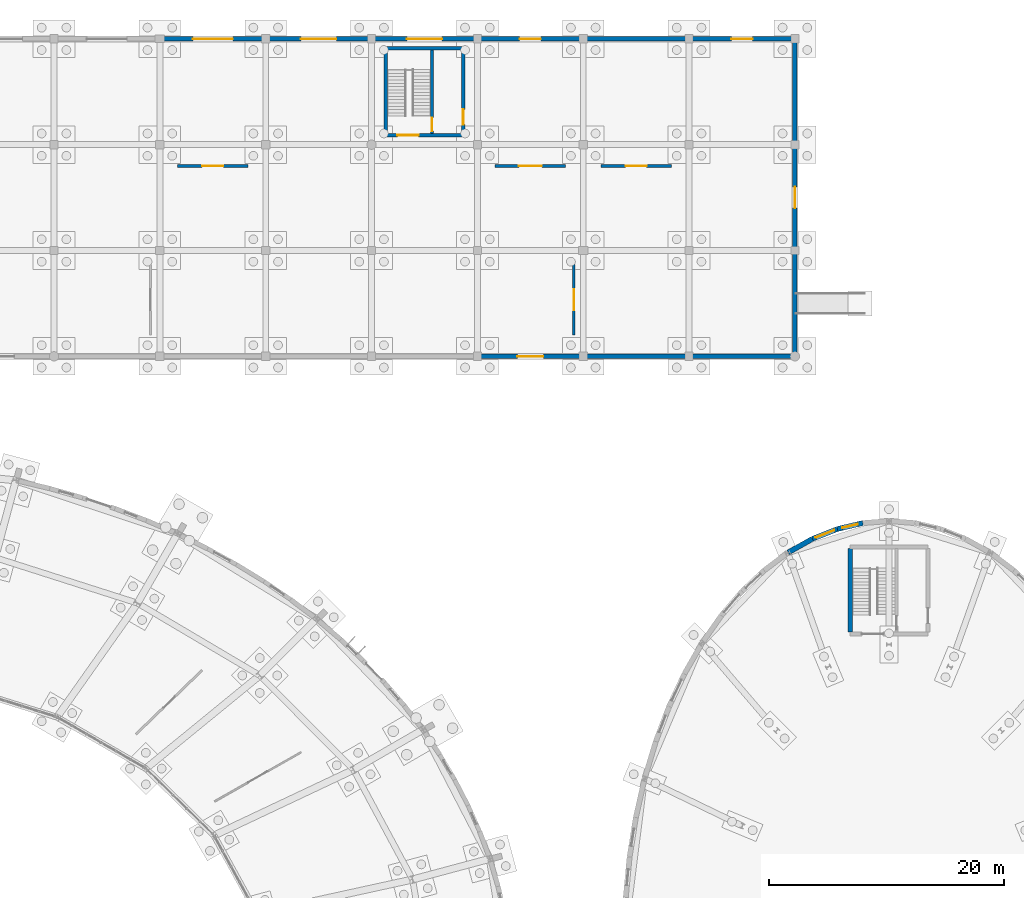
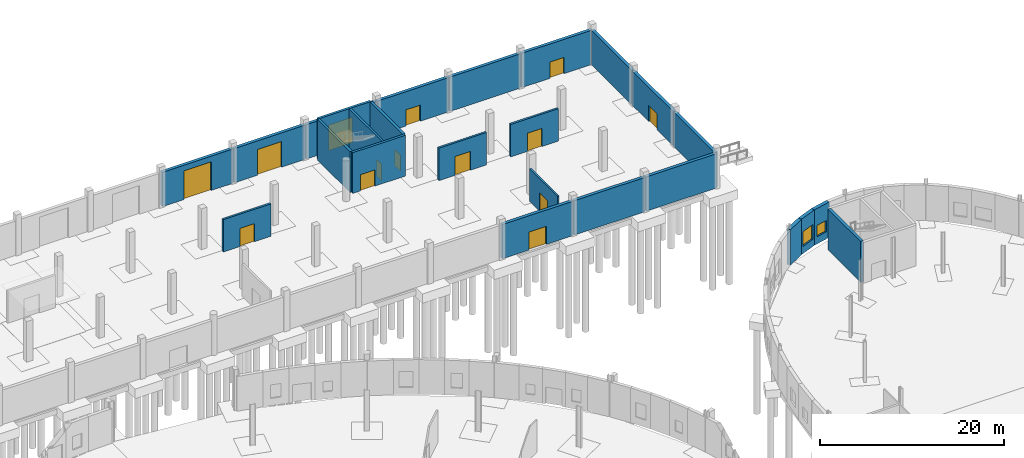
# One storey, part 100 of 118: 25 walls, 14 doors, 2 windows, 16 openings.
"""IFC4 building model written with IfcOpenShell, lengths in metres."""

from ifc_helpers import new_model, si_unit, direction, frame, frame_2d, origin, place, context, subcontext, project, spatial, rectangle, extrude, material, layer, layer_set, type_object, element, fill, save


model = new_model("IFC4")

# Units and contexts
model_context = context("Model", 3, precision=1e-05, world=origin(), true_north=direction((0.0, 1.0)))
body_context = subcontext(model_context, "Body", "Model", "MODEL_VIEW")
ifc_project = project(units=[si_unit("LENGTHUNIT", "METRE"), si_unit("AREAUNIT", "SQUARE_METRE"), si_unit("VOLUMEUNIT", "CUBIC_METRE"), si_unit("PLANEANGLEUNIT", "RADIAN"), si_unit("MASSUNIT", "GRAM", prefix="KILO")], contexts=[model_context])

# Site, building, storey
site_placement = place(None, origin())
site = spatial("IfcSite", under=ifc_project, at=site_placement, CompositionType="ELEMENT")
building_placement = place(site_placement, origin())
building = spatial("IfcBuilding", under=site, at=building_placement, Name="Kildeholm Park Wholesale Market", CompositionType="ELEMENT")
storey_placement = place(building_placement, origin())
storey = spatial("IfcBuildingStorey", under=building, at=storey_placement, Name="L00", CompositionType="ELEMENT", Elevation=0.0)

# Wall, opening, door
ifc_material_1 = material(Name="Precast concrete C40/50 insulated cold-store envelope wall", Category="concrete")
ifc_layer_1 = layer(ifc_material_1, 0.3798828125)
ifc_layer_set_1 = layer_set([ifc_layer_1], Name="Precast concrete C40/50 insulated cold-store envelope wall")
wall_type_1 = type_object("IfcWallType", Name="Exterior wall W-CS1 380 mm", PredefinedType="SOLIDWALL", material=ifc_layer_set_1)
wall_1_placement = place(storey_placement, frame((126.06005859375, 171.0, 0.0), z_axis=(0.0, 0.0, 1.0), x_axis=(1.0, 0.0, 0.0)))
wall_1 = element("IfcWall", 1, at=wall_1_placement, inside=storey, type_object=wall_type_1, Name="Exterior wall V4N-L00.15 WL-0331", PredefinedType="SOLIDWALL", context=body_context, shape_type="SweptSolid", body=[
    extrude(rectangle(XDim=8.8798828125, YDim=0.3798828125, at=frame_2d((4.43994140625, 0.0))), origin(), (0.0, 0.0, 1.0), 4.550048828125),
])
opening_1_placement = place(wall_1_placement, frame((2.739990234375, 0.0, 0.0)))
opening_1 = element("IfcOpeningElement", 2, at=opening_1_placement, cuts=wall_1, Name="Opening G-DK01", PredefinedType="OPENING", context=body_context, shape_type="SweptSolid", body=[
    extrude(rectangle(XDim=3.39990234375, YDim=3.800048828125, at=frame_2d((1.699951171875, 1.89990234375))), frame((0.0, 0.199951171875, 0.0), z_axis=(0.0, -1.0, 0.0), x_axis=(1.0, 0.0, 0.0)), (0.0, 0.0, 1.0), 0.39990234375),
])
ifc_material_2 = material(Name="Insulated galvanized steel sectional dock shutter", Category="steel")
door_type_1 = type_object("IfcDoorType", Name="Exterior gate G-DK01 3400x3800", OperationType="NOTDEFINED", PredefinedType="GATE", material=ifc_material_2)
door_1_placement = place(opening_1_placement, origin())
door_1 = element("IfcDoor", 3, at=door_1_placement, inside=storey, type_object=door_type_1, Name="Door V4N-L00.15 DR-0030 WL-0331", OperationType="ROLLINGUP", OverallHeight=3.800048828125, OverallWidth=3.39990234375, PredefinedType="GATE", context=body_context, shape_type="SweptSolid", body=[
    extrude(rectangle(XDim=3.39990234375, YDim=3.800048828125, at=frame_2d((1.699951171875, 1.89990234375))), frame((0.0, 0.02490234375, 0.0), z_axis=(0.0, -1.0, 0.0), x_axis=(1.0, 0.0, 0.0)), (0.0, 0.0, 1.0), 0.050048828125),
])
fill(opening_1, door_1)

wall_2_placement = place(storey_placement, frame((135.06005859375, 171.0, 0.0), z_axis=(0.0, 0.0, 1.0), x_axis=(1.0, 0.0, 0.0)))
wall_2 = element("IfcWall", 4, at=wall_2_placement, inside=storey, type_object=wall_type_1, Name="Exterior wall V4N-L00.16 WL-0332", PredefinedType="SOLIDWALL", context=body_context, shape_type="SweptSolid", body=[
    extrude(rectangle(XDim=8.8798828125, YDim=0.3798828125, at=frame_2d((4.43994140625, 0.0))), origin(), (0.0, 0.0, 1.0), 4.550048828125),
])
opening_2_placement = place(wall_2_placement, frame((2.93994140625, 0.0, 0.0)))
opening_2 = element("IfcOpeningElement", 5, at=opening_2_placement, cuts=wall_2, Name="Opening G-DK03", PredefinedType="OPENING", context=body_context, shape_type="SweptSolid", body=[
    extrude(rectangle(XDim=3.0, YDim=3.39990234375, at=frame_2d((1.5, 1.699951171875))), frame((0.0, 0.199951171875, 0.0), z_axis=(0.0, -1.0, 0.0), x_axis=(1.0, 0.0, 0.0)), (0.0, 0.0, 1.0), 0.39990234375),
])
ifc_material_3 = material(Name="Insulated aluminium forklift rapid roll gate", Category="aluminium")
door_type_2 = type_object("IfcDoorType", Name="Exterior gate G-DK03 3000x3400", OperationType="NOTDEFINED", PredefinedType="GATE", material=ifc_material_3)
door_2_placement = place(opening_2_placement, origin())
door_2 = element("IfcDoor", 6, at=door_2_placement, inside=storey, type_object=door_type_2, Name="Door V4N-L00.16 DR-0031 WL-0332", OperationType="ROLLINGUP", OverallHeight=3.39990234375, OverallWidth=3.0, PredefinedType="GATE", context=body_context, shape_type="SweptSolid", body=[
    extrude(rectangle(XDim=3.0, YDim=3.39990234375, at=frame_2d((1.5, 1.699951171875))), frame((0.0, 0.02490234375, 0.0), z_axis=(0.0, -1.0, 0.0), x_axis=(1.0, 0.0, 0.0)), (0.0, 0.0, 1.0), 0.050048828125),
])
fill(opening_2, door_2)

wall_3_placement = place(storey_placement, frame((144.06005859375, 171.0, 0.0), z_axis=(0.0, 0.0, 1.0), x_axis=(1.0, 0.0, 0.0)))
wall_3 = element("IfcWall", 7, at=wall_3_placement, inside=storey, type_object=wall_type_1, Name="Exterior wall V4N-L00.17 WL-0333", PredefinedType="SOLIDWALL", context=body_context, shape_type="SweptSolid", body=[
    extrude(rectangle(XDim=8.8798828125, YDim=0.3798828125, at=frame_2d((4.43994140625, 0.0))), origin(), (0.0, 0.0, 1.0), 4.550048828125),
])
opening_3_placement = place(wall_3_placement, frame((2.93994140625, 0.0, 0.0)))
opening_3 = element("IfcOpeningElement", 8, at=opening_3_placement, cuts=wall_3, Name="Opening G-DK03", PredefinedType="OPENING", context=body_context, shape_type="SweptSolid", body=[
    extrude(rectangle(XDim=3.0, YDim=3.39990234375, at=frame_2d((1.5, 1.699951171875))), frame((0.0, 0.199951171875, 0.0), z_axis=(0.0, -1.0, 0.0), x_axis=(1.0, 0.0, 0.0)), (0.0, 0.0, 1.0), 0.39990234375),
])
door_3_placement = place(opening_3_placement, origin())
door_3 = element("IfcDoor", 9, at=door_3_placement, inside=storey, type_object=door_type_2, Name="Door V4N-L00.17 DR-0032 WL-0333", OperationType="ROLLINGUP", OverallHeight=3.39990234375, OverallWidth=3.0, PredefinedType="GATE", context=body_context, shape_type="SweptSolid", body=[
    extrude(rectangle(XDim=3.0, YDim=3.39990234375, at=frame_2d((1.5, 1.699951171875))), frame((0.0, 0.02490234375, 0.0), z_axis=(0.0, -1.0, 0.0), x_axis=(1.0, 0.0, 0.0)), (0.0, 0.0, 1.0), 0.050048828125),
])
fill(opening_3, door_3)

wall_4_placement = place(storey_placement, frame((153.06005859375, 171.0, 0.0), z_axis=(0.0, 0.0, 1.0), x_axis=(1.0, 0.0, 0.0)))
wall_4 = element("IfcWall", 10, at=wall_4_placement, inside=storey, type_object=wall_type_1, Name="Exterior wall V4N-L00.18 WL-0334", PredefinedType="SOLIDWALL", context=body_context, shape_type="SweptSolid", body=[
    extrude(rectangle(XDim=8.8798828125, YDim=0.3798828125, at=frame_2d((4.43994140625, 0.0))), origin(), (0.0, 0.0, 1.0), 4.550048828125),
])
opening_4_placement = place(wall_4_placement, frame((3.5400390625, 0.0, 0.0)))
opening_4 = element("IfcOpeningElement", 11, at=opening_4_placement, cuts=wall_4, Name="Opening D-EX05", PredefinedType="OPENING", context=body_context, shape_type="SweptSolid", body=[
    extrude(rectangle(XDim=1.800048828125, YDim=2.14990234375, at=frame_2d((0.89990234375, 1.074951171875))), frame((0.0, 0.199951171875, 0.0), z_axis=(0.0, -1.0, 0.0), x_axis=(1.0, 0.0, 0.0)), (0.0, 0.0, 1.0), 0.39990234375),
])
ifc_material_4 = material(Name="Painted galvanized steel escape doorset", Category="steel")
door_type_3 = type_object("IfcDoorType", Name="Exterior door D-EX05 1800x2150", OperationType="NOTDEFINED", PredefinedType="DOOR", material=ifc_material_4)
door_4_placement = place(opening_4_placement, origin())
door_4 = element("IfcDoor", 12, at=door_4_placement, inside=storey, type_object=door_type_3, Name="Door V4N-L00.18 DR-0033 WL-0334", OperationType="DOUBLE_DOOR_SINGLE_SWING", OverallHeight=2.14990234375, OverallWidth=1.800048828125, PredefinedType="DOOR", context=body_context, shape_type="SweptSolid", body=[
    extrude(rectangle(XDim=1.800048828125, YDim=2.14990234375, at=frame_2d((0.89990234375, 1.074951171875))), frame((0.0, 0.02490234375, 0.0), z_axis=(0.0, -1.0, 0.0), x_axis=(1.0, 0.0, 0.0)), (0.0, 0.0, 1.0), 0.050048828125),
])
fill(opening_4, door_4)

# Wall
wall_5_placement = place(storey_placement, frame((162.06005859375, 171.0, 0.0), z_axis=(0.0, 0.0, 1.0), x_axis=(1.0, 0.0, 0.0)))
element("IfcWall", 13, at=wall_5_placement, inside=storey, type_object=wall_type_1, Name="Exterior wall V4N-L00.19 WL-0335", PredefinedType="SOLIDWALL", context=body_context, shape_type="SweptSolid", body=[
    extrude(rectangle(XDim=8.8798828125, YDim=0.3798828125, at=frame_2d((4.43994140625, 0.0))), origin(), (0.0, 0.0, 1.0), 4.550048828125),
])

# Wall, opening, door
wall_6_placement = place(storey_placement, frame((171.06005859375, 171.0, 0.0), z_axis=(0.0, 0.0, 1.0), x_axis=(1.0, 0.0, 0.0)))
wall_6 = element("IfcWall", 14, at=wall_6_placement, inside=storey, type_object=wall_type_1, Name="Exterior wall V4N-L00.20 WL-0336", PredefinedType="SOLIDWALL", context=body_context, shape_type="SweptSolid", body=[
    extrude(rectangle(XDim=8.8798828125, YDim=0.3798828125, at=frame_2d((4.43994140625, 0.0))), origin(), (0.0, 0.0, 1.0), 4.550048828125),
])
opening_5_placement = place(wall_6_placement, frame((3.5400390625, 0.0, 0.0)))
opening_5 = element("IfcOpeningElement", 15, at=opening_5_placement, cuts=wall_6, Name="Opening D-EX05", PredefinedType="OPENING", context=body_context, shape_type="SweptSolid", body=[
    extrude(rectangle(XDim=1.800048828125, YDim=2.14990234375, at=frame_2d((0.89990234375, 1.074951171875))), frame((0.0, 0.199951171875, 0.0), z_axis=(0.0, -1.0, 0.0), x_axis=(1.0, 0.0, 0.0)), (0.0, 0.0, 1.0), 0.39990234375),
])
door_5_placement = place(opening_5_placement, origin())
door_5 = element("IfcDoor", 16, at=door_5_placement, inside=storey, type_object=door_type_3, Name="Door V4N-L00.20 DR-0034 WL-0336", OperationType="DOUBLE_DOOR_SINGLE_SWING", OverallHeight=2.14990234375, OverallWidth=1.800048828125, PredefinedType="DOOR", context=body_context, shape_type="SweptSolid", body=[
    extrude(rectangle(XDim=1.800048828125, YDim=2.14990234375, at=frame_2d((0.89990234375, 1.074951171875))), frame((0.0, 0.02490234375, 0.0), z_axis=(0.0, -1.0, 0.0), x_axis=(1.0, 0.0, 0.0)), (0.0, 0.0, 1.0), 0.050048828125),
])
fill(opening_5, door_5)

# Wall
wall_7_placement = place(storey_placement, frame((180.0, 144.06005859375, 0.0), z_axis=(0.0, 0.0, 1.0), x_axis=(0.0, 1.0, 0.0)))
element("IfcWall", 17, at=wall_7_placement, inside=storey, type_object=wall_type_1, Name="Exterior wall V4E-L00.1 WL-0429", PredefinedType="SOLIDWALL", context=body_context, shape_type="SweptSolid", body=[
    extrude(rectangle(XDim=8.8798828125, YDim=0.3798828125, at=frame_2d((4.43994140625, 0.0))), origin(), (0.0, 0.0, 1.0), 4.550048828125),
])

# Wall, opening, door
wall_8_placement = place(storey_placement, frame((180.0, 153.06005859375, 0.0), z_axis=(0.0, 0.0, 1.0), x_axis=(0.0, 1.0, 0.0)))
wall_8 = element("IfcWall", 18, at=wall_8_placement, inside=storey, type_object=wall_type_1, Name="Exterior wall V4E-L00.2 WL-0430", PredefinedType="SOLIDWALL", context=body_context, shape_type="SweptSolid", body=[
    extrude(rectangle(XDim=8.8798828125, YDim=0.3798828125, at=frame_2d((4.43994140625, 0.0))), origin(), (0.0, 0.0, 1.0), 4.550048828125),
])
opening_6_placement = place(wall_8_placement, frame((3.5400390625, 0.0, 0.0)))
opening_6 = element("IfcOpeningElement", 19, at=opening_6_placement, cuts=wall_8, Name="Opening D-EX05", PredefinedType="OPENING", context=body_context, shape_type="SweptSolid", body=[
    extrude(rectangle(XDim=1.800048828125, YDim=2.14990234375, at=frame_2d((0.89990234375, 1.074951171875))), frame((0.0, 0.199951171875, 0.0), z_axis=(0.0, -1.0, 0.0), x_axis=(1.0, 0.0, 0.0)), (0.0, 0.0, 1.0), 0.39990234375),
])
door_6_placement = place(opening_6_placement, frame((1.800048828125, 0.0, 0.0), z_axis=(0.0, 0.0, 1.0), x_axis=(-1.0, 0.0, 0.0)))
door_6 = element("IfcDoor", 20, at=door_6_placement, inside=storey, type_object=door_type_3, Name="Door V4E-L00.2 DR-0040 WL-0430", OperationType="DOUBLE_DOOR_SINGLE_SWING", OverallHeight=2.14990234375, OverallWidth=1.800048828125, PredefinedType="DOOR", context=body_context, shape_type="SweptSolid", body=[
    extrude(rectangle(XDim=1.800048828125, YDim=2.14990234375, at=frame_2d((0.89990234375, 1.074951171875))), frame((0.0, 0.02490234375, 0.0), z_axis=(0.0, -1.0, 0.0), x_axis=(1.0, 0.0, 0.0)), (0.0, 0.0, 1.0), 0.050048828125),
])
fill(opening_6, door_6)

# Wall
wall_9_placement = place(storey_placement, frame((180.0, 162.06005859375, 0.0), z_axis=(0.0, 0.0, 1.0), x_axis=(0.0, 1.0, 0.0)))
element("IfcWall", 21, at=wall_9_placement, inside=storey, type_object=wall_type_1, Name="Exterior wall V4E-L00.3 WL-0431", PredefinedType="SOLIDWALL", context=body_context, shape_type="SweptSolid", body=[
    extrude(rectangle(XDim=8.8798828125, YDim=0.3798828125, at=frame_2d((4.43994140625, 0.0))), origin(), (0.0, 0.0, 1.0), 4.550048828125),
])

# Wall, opening, door
wall_10_placement = place(storey_placement, frame((153.06005859375, 144.0, 0.0), z_axis=(0.0, 0.0, 1.0), x_axis=(1.0, 0.0, 0.0)))
wall_10 = element("IfcWall", 22, at=wall_10_placement, inside=storey, type_object=wall_type_1, Name="Exterior wall V4S-L00.14 WL-0450", PredefinedType="SOLIDWALL", context=body_context, shape_type="SweptSolid", body=[
    extrude(rectangle(XDim=8.8798828125, YDim=0.3798828125, at=frame_2d((4.43994140625, 0.0))), origin(), (0.0, 0.0, 1.0), 4.550048828125),
])
opening_7_placement = place(wall_10_placement, frame((3.340087890625, 0.0, 0.0)))
opening_7 = element("IfcOpeningElement", 23, at=opening_7_placement, cuts=wall_10, Name="Opening D-EX03", PredefinedType="OPENING", context=body_context, shape_type="SweptSolid", body=[
    extrude(rectangle(XDim=2.199951171875, YDim=2.39990234375, at=frame_2d((1.10009765625, 1.199951171875))), frame((0.0, 0.199951171875, 0.0), z_axis=(0.0, -1.0, 0.0), x_axis=(1.0, 0.0, 0.0)), (0.0, 0.0, 1.0), 0.39990234375),
])
ifc_material_5 = material(Name="Anodised aluminium and safety glass", Category="aluminium")
door_type_4 = type_object("IfcDoorType", Name="Exterior door D-EX03 2200x2400", OperationType="NOTDEFINED", PredefinedType="DOOR", material=ifc_material_5)
door_7_placement = place(opening_7_placement, frame((2.199951171875, 0.0, 0.0), z_axis=(0.0, 0.0, 1.0), x_axis=(-1.0, 0.0, 0.0)))
door_7 = element("IfcDoor", 24, at=door_7_placement, inside=storey, type_object=door_type_4, Name="Door V4S-L00.14 DR-0043 WL-0450", OperationType="DOUBLE_DOOR_SINGLE_SWING", OverallHeight=2.39990234375, OverallWidth=2.199951171875, PredefinedType="DOOR", context=body_context, shape_type="SweptSolid", body=[
    extrude(rectangle(XDim=2.199951171875, YDim=2.39990234375, at=frame_2d((1.10009765625, 1.199951171875))), frame((0.0, 0.02490234375, 0.0), z_axis=(0.0, -1.0, 0.0), x_axis=(1.0, 0.0, 0.0)), (0.0, 0.0, 1.0), 0.050048828125),
])
fill(opening_7, door_7)

# Walls
for number, where, z_axis, x_axis, name in (
    (25, (162.06005859375, 144.0, 0.0), (0.0, 0.0, 1.0), (1.0, 0.0, 0.0), "Exterior wall V4S-L00.15 WL-0451"),
    (26, (171.06005859375, 144.0, 0.0), (0.0, 0.0, 1.0), (1.0, 0.0, 0.0), "Exterior wall V4S-L00.16 WL-0452"),
):
    element("IfcWall", number, at=place(storey_placement, frame(where, z_axis=z_axis, x_axis=x_axis)), inside=storey, type_object=wall_type_1, Name=name, PredefinedType="SOLIDWALL", context=body_context, shape_type="SweptSolid", body=[
        extrude(rectangle(XDim=8.8798828125, YDim=0.3798828125, at=frame_2d((4.43994140625, 0.0))), origin(), (0.0, 0.0, 1.0), 4.550048828125),
    ])

# Wall, opening, window
ifc_material_6 = material(Name="Insulated clinker brick and glazed ceramic mosaic facade wall", Category="masonry")
ifc_layer_2 = layer(ifc_material_6, 0.43994140625)
ifc_layer_set_2 = layer_set([ifc_layer_2], Name="Insulated clinker brick and glazed ceramic mosaic facade wall")
wall_type_2 = type_object("IfcWallType", Name="Exterior wall W-EX3 440 mm", PredefinedType="SOLIDWALL", material=ifc_layer_set_2)
wall_11_placement = place(storey_placement, frame((185.77490234375, 129.825927734375, 0.0), z_axis=(0.0, 0.0, 1.0), x_axis=(-0.973572460089, -0.228378337317, 0.0)))
wall_11 = element("IfcWall", 27, at=wall_11_placement, inside=storey, type_object=wall_type_2, Name="Oval hall ground wall 5.2 WL-0232", PredefinedType="SOLIDWALL", context=body_context, shape_type="SweptSolid", body=[
    extrude(rectangle(XDim=2.2236328125, YDim=0.43994140625, at=frame_2d((1.11181640625, 0.0))), origin(), (0.0, 0.0, 1.0), 4.699951171875),
])
opening_8_placement = place(wall_11_placement, frame((0.43701171875, 0.0, 0.949951171875)))
opening_8 = element("IfcOpeningElement", 28, at=opening_8_placement, cuts=wall_11, Name="Opening WN-10", PredefinedType="OPENING", context=body_context, shape_type="SweptSolid", body=[
    extrude(rectangle(XDim=1.35009765625, YDim=1.5, at=frame_2d((0.675048828125, 0.75))), frame((0.0, 0.22998046875, 0.0), z_axis=(0.0, -1.0, 0.0), x_axis=(1.0, 0.0, 0.0)), (0.0, 0.0, 1.0), 0.4599609375),
])
ifc_material_7 = material(Name="Thermally broken aluminium and triple-glazed low-E glass", Category="aluminium")
window_type_1 = type_object("IfcWindowType", Name="Window WN-10 1350x1500", PartitioningType="SINGLE_PANEL", PredefinedType="WINDOW", material=ifc_material_7)
window_1_placement = place(opening_8_placement, origin())
window_1 = element("IfcWindow", 29, at=window_1_placement, inside=storey, type_object=window_type_1, Name="Oval hall ground window 5.1 WIN-0056", OverallHeight=1.5, OverallWidth=1.35009765625, PartitioningType="SINGLE_PANEL", PredefinedType="WINDOW", context=body_context, shape_type="SweptSolid", body=[
    extrude(rectangle(XDim=1.35009765625, YDim=1.5, at=frame_2d((0.675048828125, 0.75))), frame((0.0, 0.030029296875, 0.0), z_axis=(0.0, -1.0, 0.0), x_axis=(1.0, 0.0, 0.0)), (0.0, 0.0, 1.0), 0.06005859375),
])
fill(opening_8, window_1)

wall_12_placement = place(storey_placement, frame((183.610107421875, 129.318115234375, 0.0), z_axis=(0.0, 0.0, 1.0), x_axis=(-0.930141762333, -0.367200629035, 0.0)))
wall_12 = element("IfcWall", 30, at=wall_12_placement, inside=storey, type_object=wall_type_2, Name="Oval hall ground wall 5.3 WL-0233", PredefinedType="SOLIDWALL", context=body_context, shape_type="SweptSolid", body=[
    extrude(rectangle(XDim=2.282470703125, YDim=0.43994140625, at=frame_2d((1.14111328125, 0.0))), origin(), (0.0, 0.0, 1.0), 4.699951171875),
])
opening_9_placement = place(wall_12_placement, frame((0.291015625, 0.0, 0.949951171875)))
opening_9 = element("IfcOpeningElement", 31, at=opening_9_placement, cuts=wall_12, Name="Opening WN-21", PredefinedType="OPENING", context=body_context, shape_type="SweptSolid", body=[
    extrude(rectangle(XDim=1.699951171875, YDim=1.949951171875, at=frame_2d((0.85009765625, 0.97509765625))), frame((0.0, 0.22998046875, 0.0), z_axis=(0.0, -1.0, 0.0), x_axis=(1.0, 0.0, 0.0)), (0.0, 0.0, 1.0), 0.4599609375),
])
window_type_2 = type_object("IfcWindowType", Name="Window WN-21 1700x1950", PartitioningType="DOUBLE_PANEL_VERTICAL", PredefinedType="WINDOW", material=ifc_material_7)
window_2_placement = place(opening_9_placement, origin())
window_2 = element("IfcWindow", 32, at=window_2_placement, inside=storey, type_object=window_type_2, Name="Oval hall ground window 5.2 WIN-0057", OverallHeight=1.949951171875, OverallWidth=1.699951171875, PartitioningType="SINGLE_PANEL", PredefinedType="WINDOW", context=body_context, shape_type="SweptSolid", body=[
    extrude(rectangle(XDim=1.699951171875, YDim=1.949951171875, at=frame_2d((0.85009765625, 0.97509765625))), frame((0.0, 0.030029296875, 0.0), z_axis=(0.0, -1.0, 0.0), x_axis=(1.0, 0.0, 0.0)), (0.0, 0.0, 1.0), 0.06005859375),
])
fill(opening_9, window_2)

# Wall
wall_13_placement = place(storey_placement, frame((181.487060546875, 128.47998046875, 0.0), z_axis=(0.0, 0.0, 1.0), x_axis=(-0.871647221565, -0.490133778817, 0.0)))
element("IfcWall", 33, at=wall_13_placement, inside=storey, type_object=wall_type_2, Name="Oval hall ground wall 5.4 WL-0234", PredefinedType="SOLIDWALL", context=body_context, shape_type="SweptSolid", body=[
    extrude(rectangle(XDim=2.364501953125, YDim=0.43994140625, at=frame_2d((1.18212890625, 0.0))), origin(), (0.0, 0.0, 1.0), 4.699951171875),
])

# Wall, opening, door
ifc_material_8 = material(Name="High-insulation chiller compartment wall")
ifc_layer_3 = layer(ifc_material_8, 0.260009765625)
ifc_layer_set_3 = layer_set([ifc_layer_3], Name="High-insulation chiller compartment wall")
wall_type_3 = type_object("IfcWallType", Name="Partition W-PT10 260 mm", PredefinedType="PARTITIONING", material=ifc_layer_set_3)
wall_14_placement = place(storey_placement, frame((127.5, 160.199951171875, 0.0), z_axis=(0.0, 0.0, 1.0), x_axis=(1.0, 0.0, 0.0)))
wall_14 = element("IfcWall", 34, at=wall_14_placement, inside=storey, type_object=wall_type_3, Name="Interior partition W-V4-L00-CSN05 WL-0974", PredefinedType="PARTITIONING", context=body_context, shape_type="SweptSolid", body=[
    extrude(rectangle(XDim=6.0, YDim=0.260009765625, at=frame_2d((3.0, 0.0))), origin(), (0.0, 0.0, 1.0), 4.300048828125),
])
opening_10_placement = place(wall_14_placement, frame((2.10009765625, 0.0, 0.0)))
opening_10 = element("IfcOpeningElement", 35, at=opening_10_placement, cuts=wall_14, Name="Opening D-CS01", PredefinedType="OPENING", context=body_context, shape_type="SweptSolid", body=[
    extrude(rectangle(XDim=1.800048828125, YDim=2.39990234375, at=frame_2d((0.89990234375, 1.199951171875))), frame((0.0, 0.139892578125, 0.0), z_axis=(0.0, -1.0, 0.0), x_axis=(1.0, 0.0, 0.0)), (0.0, 0.0, 1.0), 0.280029296875),
])
ifc_material_9 = material(Name="Insulated stainless-steel sliding cold-store door", Category="steel")
door_type_5 = type_object("IfcDoorType", Name="Interior door D-CS01 1800x2400", OperationType="NOTDEFINED", PredefinedType="DOOR", material=ifc_material_9)
door_8_placement = place(opening_10_placement, origin())
door_8 = element("IfcDoor", 36, at=door_8_placement, inside=storey, type_object=door_type_5, Name="Interior door V4-L00-CSN05 DR-0249 WL-0974", OperationType="SLIDING_TO_LEFT", OverallHeight=2.39990234375, OverallWidth=1.800048828125, PredefinedType="DOOR", context=body_context, shape_type="SweptSolid", body=[
    extrude(rectangle(XDim=1.800048828125, YDim=2.39990234375, at=frame_2d((0.89990234375, 1.199951171875))), frame((0.0, 0.02490234375, 0.0), z_axis=(0.0, -1.0, 0.0), x_axis=(1.0, 0.0, 0.0)), (0.0, 0.0, 1.0), 0.050048828125),
])
fill(opening_10, door_8)

wall_15_placement = place(storey_placement, frame((154.5, 160.199951171875, 0.0), z_axis=(0.0, 0.0, 1.0), x_axis=(1.0, 0.0, 0.0)))
wall_15 = element("IfcWall", 37, at=wall_15_placement, inside=storey, type_object=wall_type_3, Name="Interior partition W-V4-L00-CSN06 WL-0975", PredefinedType="PARTITIONING", context=body_context, shape_type="SweptSolid", body=[
    extrude(rectangle(XDim=6.0, YDim=0.260009765625, at=frame_2d((3.0, 0.0))), origin(), (0.0, 0.0, 1.0), 4.300048828125),
])
opening_11_placement = place(wall_15_placement, frame((2.02490234375, 0.0, 0.0)))
opening_11 = element("IfcOpeningElement", 38, at=opening_11_placement, cuts=wall_15, Name="Opening D-CS03", PredefinedType="OPENING", context=body_context, shape_type="SweptSolid", body=[
    extrude(rectangle(XDim=1.949951171875, YDim=2.5, at=frame_2d((0.97509765625, 1.25))), frame((0.0, 0.139892578125, 0.0), z_axis=(0.0, -1.0, 0.0), x_axis=(1.0, 0.0, 0.0)), (0.0, 0.0, 1.0), 0.280029296875),
])
ifc_material_10 = material(Name="Insulated stainless-steel dairy chiller sliding door", Category="steel")
door_type_6 = type_object("IfcDoorType", Name="Interior door D-CS03 1950x2500", OperationType="NOTDEFINED", PredefinedType="DOOR", material=ifc_material_10)
door_9_placement = place(opening_11_placement, origin())
door_9 = element("IfcDoor", 39, at=door_9_placement, inside=storey, type_object=door_type_6, Name="Interior door V4-L00-CSN06 DR-0250 WL-0975", OperationType="SLIDING_TO_RIGHT", OverallHeight=2.5, OverallWidth=1.949951171875, PredefinedType="DOOR", context=body_context, shape_type="SweptSolid", body=[
    extrude(rectangle(XDim=1.949951171875, YDim=2.5, at=frame_2d((0.97509765625, 1.25))), frame((0.0, 0.02490234375, 0.0), z_axis=(0.0, -1.0, 0.0), x_axis=(1.0, 0.0, 0.0)), (0.0, 0.0, 1.0), 0.050048828125),
])
fill(opening_11, door_9)

wall_16_placement = place(storey_placement, frame((163.5, 160.199951171875, 0.0), z_axis=(0.0, 0.0, 1.0), x_axis=(1.0, 0.0, 0.0)))
wall_16 = element("IfcWall", 40, at=wall_16_placement, inside=storey, type_object=wall_type_3, Name="Interior partition W-V4-L00-CSN07 WL-0976", PredefinedType="PARTITIONING", context=body_context, shape_type="SweptSolid", body=[
    extrude(rectangle(XDim=6.0, YDim=0.260009765625, at=frame_2d((3.0, 0.0))), origin(), (0.0, 0.0, 1.0), 4.300048828125),
])
opening_12_placement = place(wall_16_placement, frame((2.10009765625, 0.0, 0.0)))
opening_12 = element("IfcOpeningElement", 41, at=opening_12_placement, cuts=wall_16, Name="Opening D-CS01", PredefinedType="OPENING", context=body_context, shape_type="SweptSolid", body=[
    extrude(rectangle(XDim=1.800048828125, YDim=2.39990234375, at=frame_2d((0.89990234375, 1.199951171875))), frame((0.0, 0.139892578125, 0.0), z_axis=(0.0, -1.0, 0.0), x_axis=(1.0, 0.0, 0.0)), (0.0, 0.0, 1.0), 0.280029296875),
])
door_10_placement = place(opening_12_placement, origin())
door_10 = element("IfcDoor", 42, at=door_10_placement, inside=storey, type_object=door_type_5, Name="Interior door V4-L00-CSN07 DR-0251 WL-0976", OperationType="SLIDING_TO_LEFT", OverallHeight=2.39990234375, OverallWidth=1.800048828125, PredefinedType="DOOR", context=body_context, shape_type="SweptSolid", body=[
    extrude(rectangle(XDim=1.800048828125, YDim=2.39990234375, at=frame_2d((0.89990234375, 1.199951171875))), frame((0.0, 0.02490234375, 0.0), z_axis=(0.0, -1.0, 0.0), x_axis=(1.0, 0.0, 0.0)), (0.0, 0.0, 1.0), 0.050048828125),
])
fill(opening_12, door_10)

ifc_material_11 = material(Name="Masonry cold-corridor buffer wall", Category="masonry")
ifc_layer_4 = layer(ifc_material_11, 0.205078125)
ifc_layer_set_4 = layer_set([ifc_layer_4], Name="Masonry cold-corridor buffer wall")
wall_type_4 = type_object("IfcWallType", Name="Partition W-PT16 205 mm", PredefinedType="PARTITIONING", material=ifc_layer_set_4)
wall_17_placement = place(storey_placement, frame((161.199951171875, 145.800048828125, 0.0), z_axis=(0.0, 0.0, 1.0), x_axis=(0.0, 1.0, 0.0)))
wall_17 = element("IfcWall", 43, at=wall_17_placement, inside=storey, type_object=wall_type_4, Name="Interior partition W-V4-L00-CSD03 WL-0979", PredefinedType="PARTITIONING", context=body_context, shape_type="SweptSolid", body=[
    extrude(rectangle(XDim=6.0, YDim=0.205078125, at=frame_2d((3.0, 0.0))), origin(), (0.0, 0.0, 1.0), 4.300048828125),
])
opening_13_placement = place(wall_17_placement, frame((2.10009765625, 0.0, 0.0)))
opening_13 = element("IfcOpeningElement", 44, at=opening_13_placement, cuts=wall_17, Name="Opening D-CS01", PredefinedType="OPENING", context=body_context, shape_type="SweptSolid", body=[
    extrude(rectangle(XDim=1.800048828125, YDim=2.39990234375, at=frame_2d((0.89990234375, 1.199951171875))), frame((0.0, 0.112548828125, 0.0), z_axis=(0.0, -1.0, 0.0), x_axis=(1.0, 0.0, 0.0)), (0.0, 0.0, 1.0), 0.22509765625),
])
door_11_placement = place(opening_13_placement, origin())
door_11 = element("IfcDoor", 45, at=door_11_placement, inside=storey, type_object=door_type_5, Name="Interior door V4-L00-CSD03 DR-0254 WL-0979", OperationType="SLIDING_TO_RIGHT", OverallHeight=2.39990234375, OverallWidth=1.800048828125, PredefinedType="DOOR", context=body_context, shape_type="SweptSolid", body=[
    extrude(rectangle(XDim=1.800048828125, YDim=2.39990234375, at=frame_2d((0.89990234375, 1.199951171875))), frame((0.0, 0.02490234375, 0.0), z_axis=(0.0, -1.0, 0.0), x_axis=(1.0, 0.0, 0.0)), (0.0, 0.0, 1.0), 0.050048828125),
])
fill(opening_13, door_11)

ifc_material_12 = material(Name="Concrete C40/50", Category="concrete")
ifc_layer_5 = layer(ifc_material_12, 0.300048828125)
ifc_layer_set_5 = layer_set([ifc_layer_5], Name="Concrete C40/50")
wall_type_5 = type_object("IfcWallType", Name="Shear wall W-SH1 300 mm", PredefinedType="SHEAR", material=ifc_layer_set_5)
wall_18_placement = place(storey_placement, frame((145.199951171875, 162.800048828125, 0.0), z_axis=(0.0, 0.0, 1.0), x_axis=(1.0, 0.0, 0.0)))
wall_18 = element("IfcWall", 46, at=wall_18_placement, inside=storey, type_object=wall_type_5, Name="Core C03 south shear wall L00 WL-0689", PredefinedType="SHEAR", context=body_context, shape_type="SweptSolid", body=[
    extrude(rectangle(XDim=6.60009765625, YDim=0.300048828125, at=frame_2d((3.300048828125, 0.0))), origin(), (0.0, 0.0, 1.0), 5.39990234375),
])
opening_14_placement = place(wall_18_placement, frame((1.0, 0.0, 0.0)))
opening_14 = element("IfcOpeningElement", 47, at=opening_14_placement, cuts=wall_18, Name="Opening D-EX05", PredefinedType="OPENING", context=body_context, shape_type="SweptSolid", body=[
    extrude(rectangle(XDim=1.800048828125, YDim=2.14990234375, at=frame_2d((0.89990234375, 1.074951171875))), frame((0.0, 0.159912109375, 0.0), z_axis=(0.0, -1.0, 0.0), x_axis=(1.0, 0.0, 0.0)), (0.0, 0.0, 1.0), 0.320068359375),
])
door_12_placement = place(opening_14_placement, frame((1.800048828125, 0.0, 0.0), z_axis=(0.0, 0.0, 1.0), x_axis=(-1.0, 0.0, 0.0)))
door_12 = element("IfcDoor", 48, at=door_12_placement, inside=storey, type_object=door_type_3, Name="Core C03 grade stair discharge door DR-0097 WL-0689", OperationType="DOUBLE_DOOR_SINGLE_SWING", OverallHeight=2.14990234375, OverallWidth=1.800048828125, PredefinedType="DOOR", context=body_context, shape_type="SweptSolid", body=[
    extrude(rectangle(XDim=1.800048828125, YDim=2.14990234375, at=frame_2d((0.89990234375, 1.074951171875))), frame((0.0, 0.02490234375, 0.0), z_axis=(0.0, -1.0, 0.0), x_axis=(1.0, 0.0, 0.0)), (0.0, 0.0, 1.0), 0.050048828125),
])
fill(opening_14, door_12)

# Walls
wall_19_placement = place(storey_placement, frame((145.199951171875, 170.199951171875, 0.0), z_axis=(0.0, 0.0, 1.0), x_axis=(1.0, 0.0, 0.0)))
element("IfcWall", 49, at=wall_19_placement, inside=storey, type_object=wall_type_5, Name="Core C03 north shear wall L00 WL-0690", PredefinedType="SHEAR", context=body_context, shape_type="SweptSolid", body=[
    extrude(rectangle(XDim=6.60009765625, YDim=0.300048828125, at=frame_2d((3.300048828125, 0.0))), origin(), (0.0, 0.0, 1.0), 5.39990234375),
])
wall_20_placement = place(storey_placement, frame((145.199951171875, 162.949951171875, 0.0), z_axis=(0.0, 0.0, 1.0), x_axis=(0.0, 1.0, 0.0)))
element("IfcWall", 50, at=wall_20_placement, inside=storey, type_object=wall_type_5, Name="Core C03 west shear wall L00 WL-0691", PredefinedType="SHEAR", context=body_context, shape_type="SweptSolid", body=[
    extrude(rectangle(XDim=7.10009765625, YDim=0.300048828125, at=frame_2d((3.550048828125, 0.0))), origin(), (0.0, 0.0, 1.0), 5.39990234375),
])

# Wall, opening, door
wall_21_placement = place(storey_placement, frame((151.800048828125, 162.949951171875, 0.0), z_axis=(0.0, 0.0, 1.0), x_axis=(0.0, 1.0, 0.0)))
wall_21 = element("IfcWall", 51, at=wall_21_placement, inside=storey, type_object=wall_type_5, Name="Core C03 east shear wall L00 WL-0692", PredefinedType="SHEAR", context=body_context, shape_type="SweptSolid", body=[
    extrude(rectangle(XDim=7.10009765625, YDim=0.300048828125, at=frame_2d((3.550048828125, 0.0))), origin(), (0.0, 0.0, 1.0), 5.39990234375),
])
opening_15_placement = place(wall_21_placement, frame((0.75, 0.0, 0.0)))
opening_15 = element("IfcOpeningElement", 52, at=opening_15_placement, cuts=wall_21, Name="Opening D-CR02", PredefinedType="OPENING", context=body_context, shape_type="SweptSolid", body=[
    extrude(rectangle(XDim=1.300048828125, YDim=2.14990234375, at=frame_2d((0.64990234375, 1.074951171875))), frame((0.0, 0.159912109375, 0.0), z_axis=(0.0, -1.0, 0.0), x_axis=(1.0, 0.0, 0.0)), (0.0, 0.0, 1.0), 0.320068359375),
])
ifc_material_13 = material(Name="Painted steel core lobby double-leaf doorset", Category="steel")
door_type_7 = type_object("IfcDoorType", Name="Interior door D-CR02 1300x2150", OperationType="NOTDEFINED", PredefinedType="DOOR", material=ifc_material_13)
door_13_placement = place(opening_15_placement, frame((1.300048828125, 0.0, 0.0), z_axis=(0.0, 0.0, 1.0), x_axis=(-1.0, 0.0, 0.0)))
door_13 = element("IfcDoor", 53, at=door_13_placement, inside=storey, type_object=door_type_7, Name="Core C03 lobby entrance door L00 DR-0095 WL-0692", OperationType="DOUBLE_DOOR_SINGLE_SWING", OverallHeight=2.14990234375, OverallWidth=1.300048828125, PredefinedType="DOOR", context=body_context, shape_type="SweptSolid", body=[
    extrude(rectangle(XDim=1.300048828125, YDim=2.14990234375, at=frame_2d((0.64990234375, 1.074951171875))), frame((0.0, 0.02490234375, 0.0), z_axis=(0.0, -1.0, 0.0), x_axis=(1.0, 0.0, 0.0)), (0.0, 0.0, 1.0), 0.050048828125),
])
fill(opening_15, door_13)

ifc_layer_6 = layer(ifc_material_12, 0.25)
ifc_layer_set_6 = layer_set([ifc_layer_6], Name="Concrete C40/50")
wall_type_6 = type_object("IfcWallType", Name="Shear wall W-SH2 250 mm", PredefinedType="SHEAR", material=ifc_layer_set_6)
wall_22_placement = place(storey_placement, frame((149.14990234375, 162.949951171875, 0.0), z_axis=(0.0, 0.0, 1.0), x_axis=(0.0, 1.0, 0.0)))
wall_22 = element("IfcWall", 54, at=wall_22_placement, inside=storey, type_object=wall_type_6, Name="Core C03 shaft wall L00 WL-0693", PredefinedType="SHEAR", context=body_context, shape_type="SweptSolid", body=[
    extrude(rectangle(XDim=7.10009765625, YDim=0.25, at=frame_2d((3.550048828125, 0.0))), origin(), (0.0, 0.0, 1.0), 5.39990234375),
])
opening_16_placement = place(wall_22_placement, frame((0.199951171875, 0.0, 0.0)))
opening_16 = element("IfcOpeningElement", 55, at=opening_16_placement, cuts=wall_22, Name="Opening D-CR01", PredefinedType="OPENING", context=body_context, shape_type="SweptSolid", body=[
    extrude(rectangle(XDim=1.14990234375, YDim=2.14990234375, at=frame_2d((0.574951171875, 1.074951171875))), frame((0.0, 0.135009765625, 0.0), z_axis=(0.0, -1.0, 0.0), x_axis=(1.0, 0.0, 0.0)), (0.0, 0.0, 1.0), 0.27001953125),
])
ifc_material_14 = material(Name="Painted steel fire escape doorset", Category="steel")
door_type_8 = type_object("IfcDoorType", Name="Interior door D-CR01 1150x2150", OperationType="NOTDEFINED", PredefinedType="DOOR", material=ifc_material_14)
door_14_placement = place(opening_16_placement, origin())
door_14 = element("IfcDoor", 56, at=door_14_placement, inside=storey, type_object=door_type_8, Name="Core C03 stair fire door L00 DR-0096 WL-0693", OperationType="SINGLE_SWING_RIGHT", OverallHeight=2.14990234375, OverallWidth=1.14990234375, PredefinedType="DOOR", context=body_context, shape_type="SweptSolid", body=[
    extrude(rectangle(XDim=1.14990234375, YDim=2.14990234375, at=frame_2d((0.574951171875, 1.074951171875))), frame((0.0, 0.02490234375, 0.0), z_axis=(0.0, -1.0, 0.0), x_axis=(1.0, 0.0, 0.0)), (0.0, 0.0, 1.0), 0.050048828125),
])
fill(opening_16, door_14)

# Wall
ifc_layer_7 = layer(ifc_material_12, 0.35009765625)
ifc_layer_set_7 = layer_set([ifc_layer_7], Name="Concrete C40/50")
wall_type_7 = type_object("IfcWallType", Name="Shear wall W-SH3 350 mm", PredefinedType="SHEAR", material=ifc_layer_set_7)
wall_23_placement = place(storey_placement, frame((184.699951171875, 120.550048828125, 0.0), z_axis=(0.0, 0.0, 1.0), x_axis=(0.0, 1.0, 0.0)))
element("IfcWall", 57, at=wall_23_placement, inside=storey, type_object=wall_type_7, Name="Core C13 west shear wall L00 WL-0878", PredefinedType="SHEAR", context=body_context, shape_type="SweptSolid", body=[
    extrude(rectangle(XDim=7.099853515625, YDim=0.35009765625, at=frame_2d((3.5498046875, 0.0))), origin(), (0.0, 0.0, 1.0), 5.39990234375),
])

save(model, "model.ifc")
